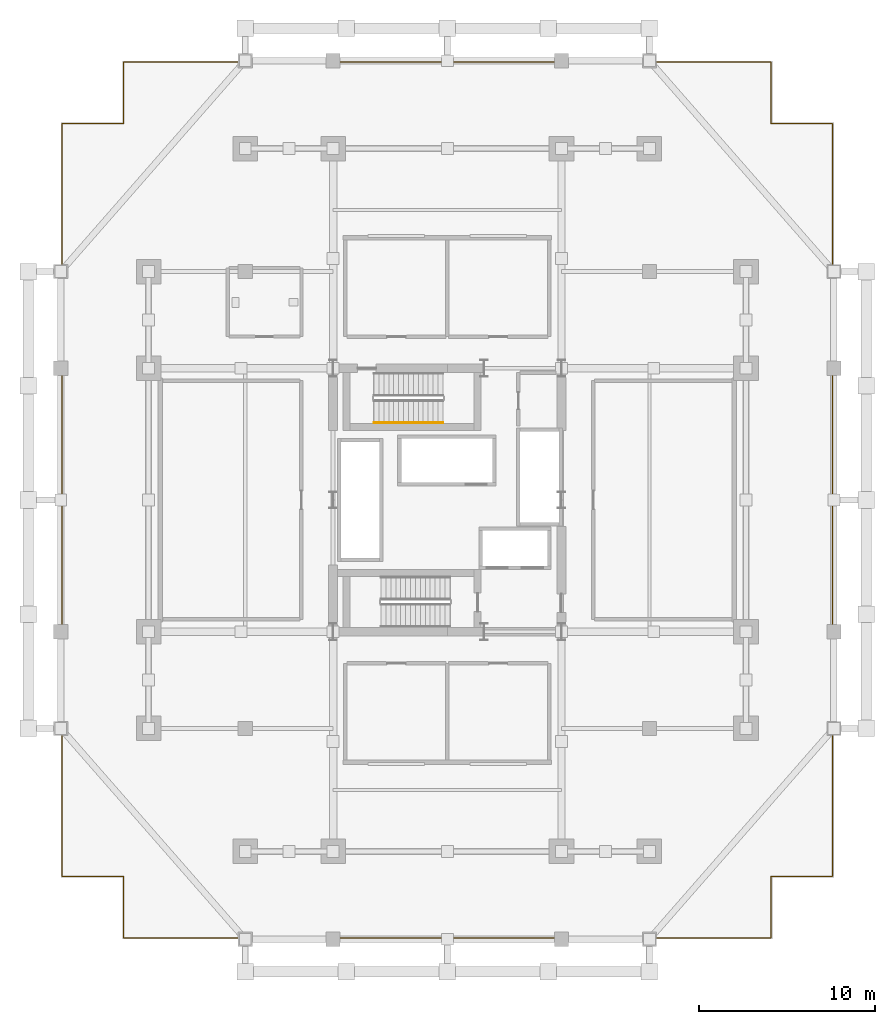
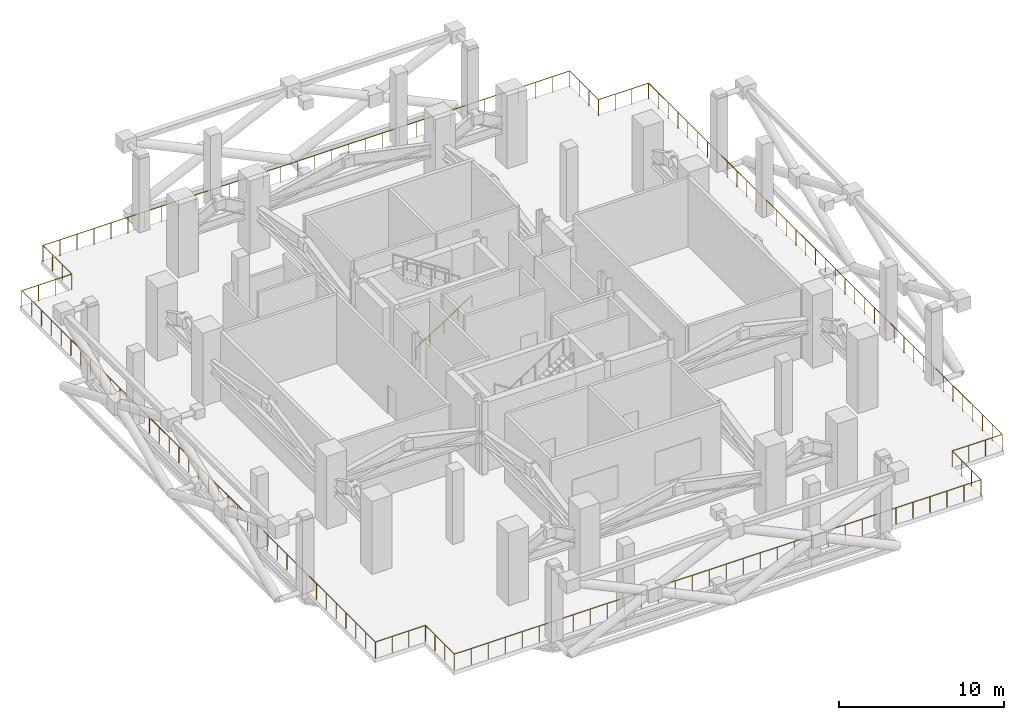
# One storey, part 7 of 9: 2 railings.
"""IFC4 building model written with IfcOpenShell, lengths in metres."""

from ifc_helpers import new_model, si_unit, direction, frame, origin, origin_2d, place, context, subcontext, project, spatial, circle, extrude, material, type_object, element, save


model = new_model("IFC4")

# Units and contexts
model_context = context("Model", 3, precision=1e-05, world=origin(), true_north=direction((0.0, 1.0)))
body_context = subcontext(model_context, "Body", "Model", "MODEL_VIEW")
ifc_project = project(units=[si_unit("LENGTHUNIT", "METRE"), si_unit("AREAUNIT", "SQUARE_METRE"), si_unit("VOLUMEUNIT", "CUBIC_METRE"), si_unit("PLANEANGLEUNIT", "RADIAN"), si_unit("MASSUNIT", "GRAM", prefix="KILO")], contexts=[model_context])

# Site, building, storey
site_placement = place(None, origin())
site = spatial("IfcSite", under=ifc_project, at=site_placement, CompositionType="ELEMENT")
building_placement = place(site_placement, origin())
building = spatial("IfcBuilding", under=site, at=building_placement, Name="Barlavira Tower and Art Museum", CompositionType="ELEMENT")
storey_placement = place(building_placement, frame((0.0, 0.0, 93.60009765625)))
storey = spatial("IfcBuildingStorey", under=building, at=storey_placement, Name="L23", CompositionType="ELEMENT", Elevation=93.60009765625)

# Railings
ifc_material_1 = material(Name="Brushed stainless steel", Category="steel")
railing_type_1 = type_object("IfcRailingType", Name="Stair Pitch Tubular Steel Handrail 920", PredefinedType="HANDRAIL", material=ifc_material_1)
railing_1_placement = place(storey_placement, frame((-4.169921875, 4.39990234375, 0.179931640625)))
element("IfcRailing", 1, at=railing_1_placement, inside=storey, type_object=railing_type_1, Name="L23 ST-T2 stair handrail 1", PredefinedType="HANDRAIL", context=body_context, shape_type="SweptSolid", body=[
    extrude(circle(Radius=0.02392578125, at=origin_2d()), frame((0.0, 0.0, 0.8759765625), z_axis=(0.841171666519, 0.0, 0.540768182723), x_axis=(0.0, 1.0, 0.0)), (0.0, 0.0, 1.0), 4.66015625),
    extrude(circle(Radius=0.02099609375, at=origin_2d()), origin(), (0.0, 0.0, 1.0), 0.851806640625),
    extrude(circle(Radius=0.02099609375, at=origin_2d()), frame((0.97998046875, 0.0, 0.6298828125)), (0.0, 0.0, 1.0), 0.851806640625),
    extrude(circle(Radius=0.02099609375, at=origin_2d()), frame((1.9599609375, 0.0, 1.260009765625)), (0.0, 0.0, 1.0), 0.851806640625),
    extrude(circle(Radius=0.02099609375, at=origin_2d()), frame((2.93994140625, 0.0, 1.89013671875)), (0.0, 0.0, 1.0), 0.851806640625),
    extrude(circle(Radius=0.02099609375, at=origin_2d()), frame((3.919921875, 0.0, 2.52001953125)), (0.0, 0.0, 1.0), 0.851806640625),
])
ifc_material_2 = material(Name="Laminated safety glass and stainless steel", Category="steel")
railing_type_2 = type_object("IfcRailingType", Name="Terrace and Wind-Floor Laminated Glass Balustrade 1200", PredefinedType="BALUSTRADE", material=ifc_material_2)
railing_2_placement = place(storey_placement, frame((-18.419921875, -24.919921875, 0.0)))
element("IfcRailing", 2, at=railing_2_placement, inside=storey, type_object=railing_type_2, Name="L23 Open Wind Floor Perimeter Balustrade", PredefinedType="BALUSTRADE", context=body_context, shape_type="SweptSolid", body=[
    extrude(circle(Radius=0.02392578125, at=origin_2d()), frame((0.0, 0.0, 1.17578125), z_axis=(1.0, 0.0, 0.0), x_axis=(0.0, 1.0, 0.0)), (0.0, 0.0, 1.0), 36.83984375),
    extrude(circle(Radius=0.02392578125, at=origin_2d()), frame((36.83984375, 0.0, 1.17578125), z_axis=(0.0, 1.0, 0.0), x_axis=(-1.0, 0.0, 0.0)), (0.0, 0.0, 1.0), 3.5),
    extrude(circle(Radius=0.02392578125, at=origin_2d()), frame((36.83984375, 3.5, 1.17578125), z_axis=(1.0, 0.0, 0.0), x_axis=(0.0, 1.0, 0.0)), (0.0, 0.0, 1.0), 3.5),
    extrude(circle(Radius=0.02392578125, at=origin_2d()), frame((40.33984375, 3.5, 1.17578125), z_axis=(0.0, 1.0, 0.0), x_axis=(-1.0, 0.0, 0.0)), (0.0, 0.0, 1.0), 42.83984375),
    extrude(circle(Radius=0.02392578125, at=origin_2d()), frame((40.33984375, 46.33984375, 1.17578125), z_axis=(-1.0, 0.0, 0.0), x_axis=(0.0, -1.0, 0.0)), (0.0, 0.0, 1.0), 3.5),
    extrude(circle(Radius=0.02392578125, at=origin_2d()), frame((36.83984375, 46.33984375, 1.17578125), z_axis=(0.0, 1.0, 0.0), x_axis=(-1.0, 0.0, 0.0)), (0.0, 0.0, 1.0), 3.5),
    extrude(circle(Radius=0.02392578125, at=origin_2d()), frame((36.83984375, 49.83984375, 1.17578125), z_axis=(-1.0, 0.0, 0.0), x_axis=(0.0, -1.0, 0.0)), (0.0, 0.0, 1.0), 36.83984375),
    extrude(circle(Radius=0.02392578125, at=origin_2d()), frame((0.0, 49.83984375, 1.17578125), z_axis=(0.0, -1.0, 0.0), x_axis=(1.0, 0.0, 0.0)), (0.0, 0.0, 1.0), 3.5),
    extrude(circle(Radius=0.02392578125, at=origin_2d()), frame((0.0, 46.33984375, 1.17578125), z_axis=(-1.0, 0.0, 0.0), x_axis=(0.0, -1.0, 0.0)), (0.0, 0.0, 1.0), 3.5),
    extrude(circle(Radius=0.02392578125, at=origin_2d()), frame((-3.5, 46.33984375, 1.17578125), z_axis=(0.0, -1.0, 0.0), x_axis=(1.0, 0.0, 0.0)), (0.0, 0.0, 1.0), 42.83984375),
    extrude(circle(Radius=0.02392578125, at=origin_2d()), frame((-3.5, 3.5, 1.17578125), z_axis=(1.0, 0.0, 0.0), x_axis=(0.0, 1.0, 0.0)), (0.0, 0.0, 1.0), 3.5),
    extrude(circle(Radius=0.02392578125, at=origin_2d()), frame((0.0, 3.5, 1.17578125), z_axis=(0.0, -1.0, 0.0), x_axis=(1.0, 0.0, 0.0)), (0.0, 0.0, 1.0), 3.5),
    extrude(circle(Radius=0.02099609375, at=origin_2d()), origin(), (0.0, 0.0, 1.0), 1.15185546875),
    extrude(circle(Radius=0.02099609375, at=origin_2d()), frame((1.1884765625, 0.0, 0.0)), (0.0, 0.0, 1.0), 1.15185546875),
    extrude(circle(Radius=0.02099609375, at=origin_2d()), frame((2.376708984375, 0.0, 0.0)), (0.0, 0.0, 1.0), 1.15185546875),
    extrude(circle(Radius=0.02099609375, at=origin_2d()), frame((3.565185546875, 0.0, 0.0)), (0.0, 0.0, 1.0), 1.15185546875),
    extrude(circle(Radius=0.02099609375, at=origin_2d()), frame((4.75341796875, 0.0, 0.0)), (0.0, 0.0, 1.0), 1.15185546875),
    extrude(circle(Radius=0.02099609375, at=origin_2d()), frame((5.94189453125, 0.0, 0.0)), (0.0, 0.0, 1.0), 1.15185546875),
    extrude(circle(Radius=0.02099609375, at=origin_2d()), frame((7.13037109375, 0.0, 0.0)), (0.0, 0.0, 1.0), 1.15185546875),
    extrude(circle(Radius=0.02099609375, at=origin_2d()), frame((8.318603515625, 0.0, 0.0)), (0.0, 0.0, 1.0), 1.15185546875),
    extrude(circle(Radius=0.02099609375, at=origin_2d()), frame((9.507080078125, 0.0, 0.0)), (0.0, 0.0, 1.0), 1.15185546875),
    extrude(circle(Radius=0.02099609375, at=origin_2d()), frame((10.695556640625, 0.0, 0.0)), (0.0, 0.0, 1.0), 1.15185546875),
    extrude(circle(Radius=0.02099609375, at=origin_2d()), frame((11.8837890625, 0.0, 0.0)), (0.0, 0.0, 1.0), 1.15185546875),
    extrude(circle(Radius=0.02099609375, at=origin_2d()), frame((13.072265625, 0.0, 0.0)), (0.0, 0.0, 1.0), 1.15185546875),
    extrude(circle(Radius=0.02099609375, at=origin_2d()), frame((14.260498046875, 0.0, 0.0)), (0.0, 0.0, 1.0), 1.15185546875),
    extrude(circle(Radius=0.02099609375, at=origin_2d()), frame((15.448974609375, 0.0, 0.0)), (0.0, 0.0, 1.0), 1.15185546875),
    extrude(circle(Radius=0.02099609375, at=origin_2d()), frame((16.637451171875, 0.0, 0.0)), (0.0, 0.0, 1.0), 1.15185546875),
    extrude(circle(Radius=0.02099609375, at=origin_2d()), frame((17.82568359375, 0.0, 0.0)), (0.0, 0.0, 1.0), 1.15185546875),
    extrude(circle(Radius=0.02099609375, at=origin_2d()), frame((19.01416015625, 0.0, 0.0)), (0.0, 0.0, 1.0), 1.15185546875),
    extrude(circle(Radius=0.02099609375, at=origin_2d()), frame((20.202392578125, 0.0, 0.0)), (0.0, 0.0, 1.0), 1.15185546875),
    extrude(circle(Radius=0.02099609375, at=origin_2d()), frame((21.390869140625, 0.0, 0.0)), (0.0, 0.0, 1.0), 1.15185546875),
    extrude(circle(Radius=0.02099609375, at=origin_2d()), frame((22.579345703125, 0.0, 0.0)), (0.0, 0.0, 1.0), 1.15185546875),
    extrude(circle(Radius=0.02099609375, at=origin_2d()), frame((23.767578125, 0.0, 0.0)), (0.0, 0.0, 1.0), 1.15185546875),
    extrude(circle(Radius=0.02099609375, at=origin_2d()), frame((24.9560546875, 0.0, 0.0)), (0.0, 0.0, 1.0), 1.15185546875),
    extrude(circle(Radius=0.02099609375, at=origin_2d()), frame((26.144287109375, 0.0, 0.0)), (0.0, 0.0, 1.0), 1.15185546875),
    extrude(circle(Radius=0.02099609375, at=origin_2d()), frame((27.332763671875, 0.0, 0.0)), (0.0, 0.0, 1.0), 1.15185546875),
    extrude(circle(Radius=0.02099609375, at=origin_2d()), frame((28.521240234375, 0.0, 0.0)), (0.0, 0.0, 1.0), 1.15185546875),
    extrude(circle(Radius=0.02099609375, at=origin_2d()), frame((29.70947265625, 0.0, 0.0)), (0.0, 0.0, 1.0), 1.15185546875),
    extrude(circle(Radius=0.02099609375, at=origin_2d()), frame((30.89794921875, 0.0, 0.0)), (0.0, 0.0, 1.0), 1.15185546875),
    extrude(circle(Radius=0.02099609375, at=origin_2d()), frame((32.08642578125, 0.0, 0.0)), (0.0, 0.0, 1.0), 1.15185546875),
    extrude(circle(Radius=0.02099609375, at=origin_2d()), frame((33.274658203125, 0.0, 0.0)), (0.0, 0.0, 1.0), 1.15185546875),
    extrude(circle(Radius=0.02099609375, at=origin_2d()), frame((34.463134765625, 0.0, 0.0)), (0.0, 0.0, 1.0), 1.15185546875),
    extrude(circle(Radius=0.02099609375, at=origin_2d()), frame((35.6513671875, 0.0, 0.0)), (0.0, 0.0, 1.0), 1.15185546875),
    extrude(circle(Radius=0.02099609375, at=origin_2d()), frame((36.83984375, 0.0, 0.0)), (0.0, 0.0, 1.0), 1.15185546875),
    extrude(circle(Radius=0.02099609375, at=origin_2d()), frame((36.83984375, 1.166748046875, 0.0)), (0.0, 0.0, 1.0), 1.15185546875),
    extrude(circle(Radius=0.02099609375, at=origin_2d()), frame((36.83984375, 2.333251953125, 0.0)), (0.0, 0.0, 1.0), 1.15185546875),
    extrude(circle(Radius=0.02099609375, at=origin_2d()), frame((36.83984375, 3.5, 0.0)), (0.0, 0.0, 1.0), 1.15185546875),
    extrude(circle(Radius=0.02099609375, at=origin_2d()), frame((38.006591796875, 3.5, 0.0)), (0.0, 0.0, 1.0), 1.15185546875),
    extrude(circle(Radius=0.02099609375, at=origin_2d()), frame((39.173095703125, 3.5, 0.0)), (0.0, 0.0, 1.0), 1.15185546875),
    extrude(circle(Radius=0.02099609375, at=origin_2d()), frame((40.33984375, 3.5, 0.0)), (0.0, 0.0, 1.0), 1.15185546875),
    extrude(circle(Radius=0.02099609375, at=origin_2d()), frame((40.33984375, 4.68994140625, 0.0)), (0.0, 0.0, 1.0), 1.15185546875),
    extrude(circle(Radius=0.02099609375, at=origin_2d()), frame((40.33984375, 5.8798828125, 0.0)), (0.0, 0.0, 1.0), 1.15185546875),
    extrude(circle(Radius=0.02099609375, at=origin_2d()), frame((40.33984375, 7.070068359375, 0.0)), (0.0, 0.0, 1.0), 1.15185546875),
    extrude(circle(Radius=0.02099609375, at=origin_2d()), frame((40.33984375, 8.260009765625, 0.0)), (0.0, 0.0, 1.0), 1.15185546875),
    extrude(circle(Radius=0.02099609375, at=origin_2d()), frame((40.33984375, 9.449951171875, 0.0)), (0.0, 0.0, 1.0), 1.15185546875),
    extrude(circle(Radius=0.02099609375, at=origin_2d()), frame((40.33984375, 10.639892578125, 0.0)), (0.0, 0.0, 1.0), 1.15185546875),
    extrude(circle(Radius=0.02099609375, at=origin_2d()), frame((40.33984375, 11.830078125, 0.0)), (0.0, 0.0, 1.0), 1.15185546875),
    extrude(circle(Radius=0.02099609375, at=origin_2d()), frame((40.33984375, 13.02001953125, 0.0)), (0.0, 0.0, 1.0), 1.15185546875),
    extrude(circle(Radius=0.02099609375, at=origin_2d()), frame((40.33984375, 14.2099609375, 0.0)), (0.0, 0.0, 1.0), 1.15185546875),
    extrude(circle(Radius=0.02099609375, at=origin_2d()), frame((40.33984375, 15.39990234375, 0.0)), (0.0, 0.0, 1.0), 1.15185546875),
    extrude(circle(Radius=0.02099609375, at=origin_2d()), frame((40.33984375, 16.58984375, 0.0)), (0.0, 0.0, 1.0), 1.15185546875),
    extrude(circle(Radius=0.02099609375, at=origin_2d()), frame((40.33984375, 17.780029296875, 0.0)), (0.0, 0.0, 1.0), 1.15185546875),
    extrude(circle(Radius=0.02099609375, at=origin_2d()), frame((40.33984375, 18.969970703125, 0.0)), (0.0, 0.0, 1.0), 1.15185546875),
    extrude(circle(Radius=0.02099609375, at=origin_2d()), frame((40.33984375, 20.159912109375, 0.0)), (0.0, 0.0, 1.0), 1.15185546875),
    extrude(circle(Radius=0.02099609375, at=origin_2d()), frame((40.33984375, 21.349853515625, 0.0)), (0.0, 0.0, 1.0), 1.15185546875),
    extrude(circle(Radius=0.02099609375, at=origin_2d()), frame((40.33984375, 22.5400390625, 0.0)), (0.0, 0.0, 1.0), 1.15185546875),
    extrude(circle(Radius=0.02099609375, at=origin_2d()), frame((40.33984375, 23.72998046875, 0.0)), (0.0, 0.0, 1.0), 1.15185546875),
    extrude(circle(Radius=0.02099609375, at=origin_2d()), frame((40.33984375, 24.919921875, 0.0)), (0.0, 0.0, 1.0), 1.15185546875),
    extrude(circle(Radius=0.02099609375, at=origin_2d()), frame((40.33984375, 26.10986328125, 0.0)), (0.0, 0.0, 1.0), 1.15185546875),
    extrude(circle(Radius=0.02099609375, at=origin_2d()), frame((40.33984375, 27.2998046875, 0.0)), (0.0, 0.0, 1.0), 1.15185546875),
    extrude(circle(Radius=0.02099609375, at=origin_2d()), frame((40.33984375, 28.489990234375, 0.0)), (0.0, 0.0, 1.0), 1.15185546875),
    extrude(circle(Radius=0.02099609375, at=origin_2d()), frame((40.33984375, 29.679931640625, 0.0)), (0.0, 0.0, 1.0), 1.15185546875),
    extrude(circle(Radius=0.02099609375, at=origin_2d()), frame((40.33984375, 30.869873046875, 0.0)), (0.0, 0.0, 1.0), 1.15185546875),
    extrude(circle(Radius=0.02099609375, at=origin_2d()), frame((40.33984375, 32.059814453125, 0.0)), (0.0, 0.0, 1.0), 1.15185546875),
    extrude(circle(Radius=0.02099609375, at=origin_2d()), frame((40.33984375, 33.25, 0.0)), (0.0, 0.0, 1.0), 1.15185546875),
    extrude(circle(Radius=0.02099609375, at=origin_2d()), frame((40.33984375, 34.43994140625, 0.0)), (0.0, 0.0, 1.0), 1.15185546875),
    extrude(circle(Radius=0.02099609375, at=origin_2d()), frame((40.33984375, 35.6298828125, 0.0)), (0.0, 0.0, 1.0), 1.15185546875),
    extrude(circle(Radius=0.02099609375, at=origin_2d()), frame((40.33984375, 36.81982421875, 0.0)), (0.0, 0.0, 1.0), 1.15185546875),
    extrude(circle(Radius=0.02099609375, at=origin_2d()), frame((40.33984375, 38.009765625, 0.0)), (0.0, 0.0, 1.0), 1.15185546875),
    extrude(circle(Radius=0.02099609375, at=origin_2d()), frame((40.33984375, 39.199951171875, 0.0)), (0.0, 0.0, 1.0), 1.15185546875),
    extrude(circle(Radius=0.02099609375, at=origin_2d()), frame((40.33984375, 40.389892578125, 0.0)), (0.0, 0.0, 1.0), 1.15185546875),
    extrude(circle(Radius=0.02099609375, at=origin_2d()), frame((40.33984375, 41.579833984375, 0.0)), (0.0, 0.0, 1.0), 1.15185546875),
    extrude(circle(Radius=0.02099609375, at=origin_2d()), frame((40.33984375, 42.769775390625, 0.0)), (0.0, 0.0, 1.0), 1.15185546875),
    extrude(circle(Radius=0.02099609375, at=origin_2d()), frame((40.33984375, 43.9599609375, 0.0)), (0.0, 0.0, 1.0), 1.15185546875),
    extrude(circle(Radius=0.02099609375, at=origin_2d()), frame((40.33984375, 45.14990234375, 0.0)), (0.0, 0.0, 1.0), 1.15185546875),
    extrude(circle(Radius=0.02099609375, at=origin_2d()), frame((40.33984375, 46.33984375, 0.0)), (0.0, 0.0, 1.0), 1.15185546875),
    extrude(circle(Radius=0.02099609375, at=origin_2d()), frame((39.173095703125, 46.33984375, 0.0)), (0.0, 0.0, 1.0), 1.15185546875),
    extrude(circle(Radius=0.02099609375, at=origin_2d()), frame((38.006591796875, 46.33984375, 0.0)), (0.0, 0.0, 1.0), 1.15185546875),
    extrude(circle(Radius=0.02099609375, at=origin_2d()), frame((36.83984375, 46.33984375, 0.0)), (0.0, 0.0, 1.0), 1.15185546875),
    extrude(circle(Radius=0.02099609375, at=origin_2d()), frame((36.83984375, 47.506591796875, 0.0)), (0.0, 0.0, 1.0), 1.15185546875),
    extrude(circle(Radius=0.02099609375, at=origin_2d()), frame((36.83984375, 48.673095703125, 0.0)), (0.0, 0.0, 1.0), 1.15185546875),
    extrude(circle(Radius=0.02099609375, at=origin_2d()), frame((36.83984375, 49.83984375, 0.0)), (0.0, 0.0, 1.0), 1.15185546875),
    extrude(circle(Radius=0.02099609375, at=origin_2d()), frame((35.6513671875, 49.83984375, 0.0)), (0.0, 0.0, 1.0), 1.15185546875),
    extrude(circle(Radius=0.02099609375, at=origin_2d()), frame((34.463134765625, 49.83984375, 0.0)), (0.0, 0.0, 1.0), 1.15185546875),
    extrude(circle(Radius=0.02099609375, at=origin_2d()), frame((33.274658203125, 49.83984375, 0.0)), (0.0, 0.0, 1.0), 1.15185546875),
    extrude(circle(Radius=0.02099609375, at=origin_2d()), frame((32.08642578125, 49.83984375, 0.0)), (0.0, 0.0, 1.0), 1.15185546875),
    extrude(circle(Radius=0.02099609375, at=origin_2d()), frame((30.89794921875, 49.83984375, 0.0)), (0.0, 0.0, 1.0), 1.15185546875),
    extrude(circle(Radius=0.02099609375, at=origin_2d()), frame((29.70947265625, 49.83984375, 0.0)), (0.0, 0.0, 1.0), 1.15185546875),
    extrude(circle(Radius=0.02099609375, at=origin_2d()), frame((28.521240234375, 49.83984375, 0.0)), (0.0, 0.0, 1.0), 1.15185546875),
    extrude(circle(Radius=0.02099609375, at=origin_2d()), frame((27.332763671875, 49.83984375, 0.0)), (0.0, 0.0, 1.0), 1.15185546875),
    extrude(circle(Radius=0.02099609375, at=origin_2d()), frame((26.144287109375, 49.83984375, 0.0)), (0.0, 0.0, 1.0), 1.15185546875),
    extrude(circle(Radius=0.02099609375, at=origin_2d()), frame((24.9560546875, 49.83984375, 0.0)), (0.0, 0.0, 1.0), 1.15185546875),
    extrude(circle(Radius=0.02099609375, at=origin_2d()), frame((23.767578125, 49.83984375, 0.0)), (0.0, 0.0, 1.0), 1.15185546875),
    extrude(circle(Radius=0.02099609375, at=origin_2d()), frame((22.579345703125, 49.83984375, 0.0)), (0.0, 0.0, 1.0), 1.15185546875),
    extrude(circle(Radius=0.02099609375, at=origin_2d()), frame((21.390869140625, 49.83984375, 0.0)), (0.0, 0.0, 1.0), 1.15185546875),
    extrude(circle(Radius=0.02099609375, at=origin_2d()), frame((20.202392578125, 49.83984375, 0.0)), (0.0, 0.0, 1.0), 1.15185546875),
    extrude(circle(Radius=0.02099609375, at=origin_2d()), frame((19.01416015625, 49.83984375, 0.0)), (0.0, 0.0, 1.0), 1.15185546875),
    extrude(circle(Radius=0.02099609375, at=origin_2d()), frame((17.82568359375, 49.83984375, 0.0)), (0.0, 0.0, 1.0), 1.15185546875),
    extrude(circle(Radius=0.02099609375, at=origin_2d()), frame((16.637451171875, 49.83984375, 0.0)), (0.0, 0.0, 1.0), 1.15185546875),
    extrude(circle(Radius=0.02099609375, at=origin_2d()), frame((15.448974609375, 49.83984375, 0.0)), (0.0, 0.0, 1.0), 1.15185546875),
    extrude(circle(Radius=0.02099609375, at=origin_2d()), frame((14.260498046875, 49.83984375, 0.0)), (0.0, 0.0, 1.0), 1.15185546875),
    extrude(circle(Radius=0.02099609375, at=origin_2d()), frame((13.072265625, 49.83984375, 0.0)), (0.0, 0.0, 1.0), 1.15185546875),
    extrude(circle(Radius=0.02099609375, at=origin_2d()), frame((11.8837890625, 49.83984375, 0.0)), (0.0, 0.0, 1.0), 1.15185546875),
    extrude(circle(Radius=0.02099609375, at=origin_2d()), frame((10.695556640625, 49.83984375, 0.0)), (0.0, 0.0, 1.0), 1.15185546875),
    extrude(circle(Radius=0.02099609375, at=origin_2d()), frame((9.507080078125, 49.83984375, 0.0)), (0.0, 0.0, 1.0), 1.15185546875),
    extrude(circle(Radius=0.02099609375, at=origin_2d()), frame((8.318603515625, 49.83984375, 0.0)), (0.0, 0.0, 1.0), 1.15185546875),
    extrude(circle(Radius=0.02099609375, at=origin_2d()), frame((7.13037109375, 49.83984375, 0.0)), (0.0, 0.0, 1.0), 1.15185546875),
    extrude(circle(Radius=0.02099609375, at=origin_2d()), frame((5.94189453125, 49.83984375, 0.0)), (0.0, 0.0, 1.0), 1.15185546875),
    extrude(circle(Radius=0.02099609375, at=origin_2d()), frame((4.75341796875, 49.83984375, 0.0)), (0.0, 0.0, 1.0), 1.15185546875),
    extrude(circle(Radius=0.02099609375, at=origin_2d()), frame((3.565185546875, 49.83984375, 0.0)), (0.0, 0.0, 1.0), 1.15185546875),
    extrude(circle(Radius=0.02099609375, at=origin_2d()), frame((2.376708984375, 49.83984375, 0.0)), (0.0, 0.0, 1.0), 1.15185546875),
    extrude(circle(Radius=0.02099609375, at=origin_2d()), frame((1.1884765625, 49.83984375, 0.0)), (0.0, 0.0, 1.0), 1.15185546875),
    extrude(circle(Radius=0.02099609375, at=origin_2d()), frame((0.0, 49.83984375, 0.0)), (0.0, 0.0, 1.0), 1.15185546875),
    extrude(circle(Radius=0.02099609375, at=origin_2d()), frame((0.0, 48.673095703125, 0.0)), (0.0, 0.0, 1.0), 1.15185546875),
    extrude(circle(Radius=0.02099609375, at=origin_2d()), frame((0.0, 47.506591796875, 0.0)), (0.0, 0.0, 1.0), 1.15185546875),
    extrude(circle(Radius=0.02099609375, at=origin_2d()), frame((0.0, 46.33984375, 0.0)), (0.0, 0.0, 1.0), 1.15185546875),
    extrude(circle(Radius=0.02099609375, at=origin_2d()), frame((-1.166748046875, 46.33984375, 0.0)), (0.0, 0.0, 1.0), 1.15185546875),
    extrude(circle(Radius=0.02099609375, at=origin_2d()), frame((-2.333251953125, 46.33984375, 0.0)), (0.0, 0.0, 1.0), 1.15185546875),
    extrude(circle(Radius=0.02099609375, at=origin_2d()), frame((-3.5, 46.33984375, 0.0)), (0.0, 0.0, 1.0), 1.15185546875),
    extrude(circle(Radius=0.02099609375, at=origin_2d()), frame((-3.5, 45.14990234375, 0.0)), (0.0, 0.0, 1.0), 1.15185546875),
    extrude(circle(Radius=0.02099609375, at=origin_2d()), frame((-3.5, 43.9599609375, 0.0)), (0.0, 0.0, 1.0), 1.15185546875),
    extrude(circle(Radius=0.02099609375, at=origin_2d()), frame((-3.5, 42.769775390625, 0.0)), (0.0, 0.0, 1.0), 1.15185546875),
    extrude(circle(Radius=0.02099609375, at=origin_2d()), frame((-3.5, 41.579833984375, 0.0)), (0.0, 0.0, 1.0), 1.15185546875),
    extrude(circle(Radius=0.02099609375, at=origin_2d()), frame((-3.5, 40.389892578125, 0.0)), (0.0, 0.0, 1.0), 1.15185546875),
    extrude(circle(Radius=0.02099609375, at=origin_2d()), frame((-3.5, 39.199951171875, 0.0)), (0.0, 0.0, 1.0), 1.15185546875),
    extrude(circle(Radius=0.02099609375, at=origin_2d()), frame((-3.5, 38.009765625, 0.0)), (0.0, 0.0, 1.0), 1.15185546875),
    extrude(circle(Radius=0.02099609375, at=origin_2d()), frame((-3.5, 36.81982421875, 0.0)), (0.0, 0.0, 1.0), 1.15185546875),
    extrude(circle(Radius=0.02099609375, at=origin_2d()), frame((-3.5, 35.6298828125, 0.0)), (0.0, 0.0, 1.0), 1.15185546875),
    extrude(circle(Radius=0.02099609375, at=origin_2d()), frame((-3.5, 34.43994140625, 0.0)), (0.0, 0.0, 1.0), 1.15185546875),
    extrude(circle(Radius=0.02099609375, at=origin_2d()), frame((-3.5, 33.25, 0.0)), (0.0, 0.0, 1.0), 1.15185546875),
    extrude(circle(Radius=0.02099609375, at=origin_2d()), frame((-3.5, 32.059814453125, 0.0)), (0.0, 0.0, 1.0), 1.15185546875),
    extrude(circle(Radius=0.02099609375, at=origin_2d()), frame((-3.5, 30.869873046875, 0.0)), (0.0, 0.0, 1.0), 1.15185546875),
    extrude(circle(Radius=0.02099609375, at=origin_2d()), frame((-3.5, 29.679931640625, 0.0)), (0.0, 0.0, 1.0), 1.15185546875),
    extrude(circle(Radius=0.02099609375, at=origin_2d()), frame((-3.5, 28.489990234375, 0.0)), (0.0, 0.0, 1.0), 1.15185546875),
    extrude(circle(Radius=0.02099609375, at=origin_2d()), frame((-3.5, 27.2998046875, 0.0)), (0.0, 0.0, 1.0), 1.15185546875),
    extrude(circle(Radius=0.02099609375, at=origin_2d()), frame((-3.5, 26.10986328125, 0.0)), (0.0, 0.0, 1.0), 1.15185546875),
    extrude(circle(Radius=0.02099609375, at=origin_2d()), frame((-3.5, 24.919921875, 0.0)), (0.0, 0.0, 1.0), 1.15185546875),
    extrude(circle(Radius=0.02099609375, at=origin_2d()), frame((-3.5, 23.72998046875, 0.0)), (0.0, 0.0, 1.0), 1.15185546875),
    extrude(circle(Radius=0.02099609375, at=origin_2d()), frame((-3.5, 22.5400390625, 0.0)), (0.0, 0.0, 1.0), 1.15185546875),
    extrude(circle(Radius=0.02099609375, at=origin_2d()), frame((-3.5, 21.349853515625, 0.0)), (0.0, 0.0, 1.0), 1.15185546875),
    extrude(circle(Radius=0.02099609375, at=origin_2d()), frame((-3.5, 20.159912109375, 0.0)), (0.0, 0.0, 1.0), 1.15185546875),
    extrude(circle(Radius=0.02099609375, at=origin_2d()), frame((-3.5, 18.969970703125, 0.0)), (0.0, 0.0, 1.0), 1.15185546875),
    extrude(circle(Radius=0.02099609375, at=origin_2d()), frame((-3.5, 17.780029296875, 0.0)), (0.0, 0.0, 1.0), 1.15185546875),
    extrude(circle(Radius=0.02099609375, at=origin_2d()), frame((-3.5, 16.58984375, 0.0)), (0.0, 0.0, 1.0), 1.15185546875),
    extrude(circle(Radius=0.02099609375, at=origin_2d()), frame((-3.5, 15.39990234375, 0.0)), (0.0, 0.0, 1.0), 1.15185546875),
    extrude(circle(Radius=0.02099609375, at=origin_2d()), frame((-3.5, 14.2099609375, 0.0)), (0.0, 0.0, 1.0), 1.15185546875),
    extrude(circle(Radius=0.02099609375, at=origin_2d()), frame((-3.5, 13.02001953125, 0.0)), (0.0, 0.0, 1.0), 1.15185546875),
    extrude(circle(Radius=0.02099609375, at=origin_2d()), frame((-3.5, 11.830078125, 0.0)), (0.0, 0.0, 1.0), 1.15185546875),
    extrude(circle(Radius=0.02099609375, at=origin_2d()), frame((-3.5, 10.639892578125, 0.0)), (0.0, 0.0, 1.0), 1.15185546875),
    extrude(circle(Radius=0.02099609375, at=origin_2d()), frame((-3.5, 9.449951171875, 0.0)), (0.0, 0.0, 1.0), 1.15185546875),
    extrude(circle(Radius=0.02099609375, at=origin_2d()), frame((-3.5, 8.260009765625, 0.0)), (0.0, 0.0, 1.0), 1.15185546875),
    extrude(circle(Radius=0.02099609375, at=origin_2d()), frame((-3.5, 7.070068359375, 0.0)), (0.0, 0.0, 1.0), 1.15185546875),
    extrude(circle(Radius=0.02099609375, at=origin_2d()), frame((-3.5, 5.8798828125, 0.0)), (0.0, 0.0, 1.0), 1.15185546875),
    extrude(circle(Radius=0.02099609375, at=origin_2d()), frame((-3.5, 4.68994140625, 0.0)), (0.0, 0.0, 1.0), 1.15185546875),
    extrude(circle(Radius=0.02099609375, at=origin_2d()), frame((-3.5, 3.5, 0.0)), (0.0, 0.0, 1.0), 1.15185546875),
    extrude(circle(Radius=0.02099609375, at=origin_2d()), frame((-2.333251953125, 3.5, 0.0)), (0.0, 0.0, 1.0), 1.15185546875),
    extrude(circle(Radius=0.02099609375, at=origin_2d()), frame((-1.166748046875, 3.5, 0.0)), (0.0, 0.0, 1.0), 1.15185546875),
    extrude(circle(Radius=0.02099609375, at=origin_2d()), frame((0.0, 3.5, 0.0)), (0.0, 0.0, 1.0), 1.15185546875),
    extrude(circle(Radius=0.02099609375, at=origin_2d()), frame((0.0, 2.333251953125, 0.0)), (0.0, 0.0, 1.0), 1.15185546875),
    extrude(circle(Radius=0.02099609375, at=origin_2d()), frame((0.0, 1.166748046875, 0.0)), (0.0, 0.0, 1.0), 1.15185546875),
])

save(model, "model.ifc")
